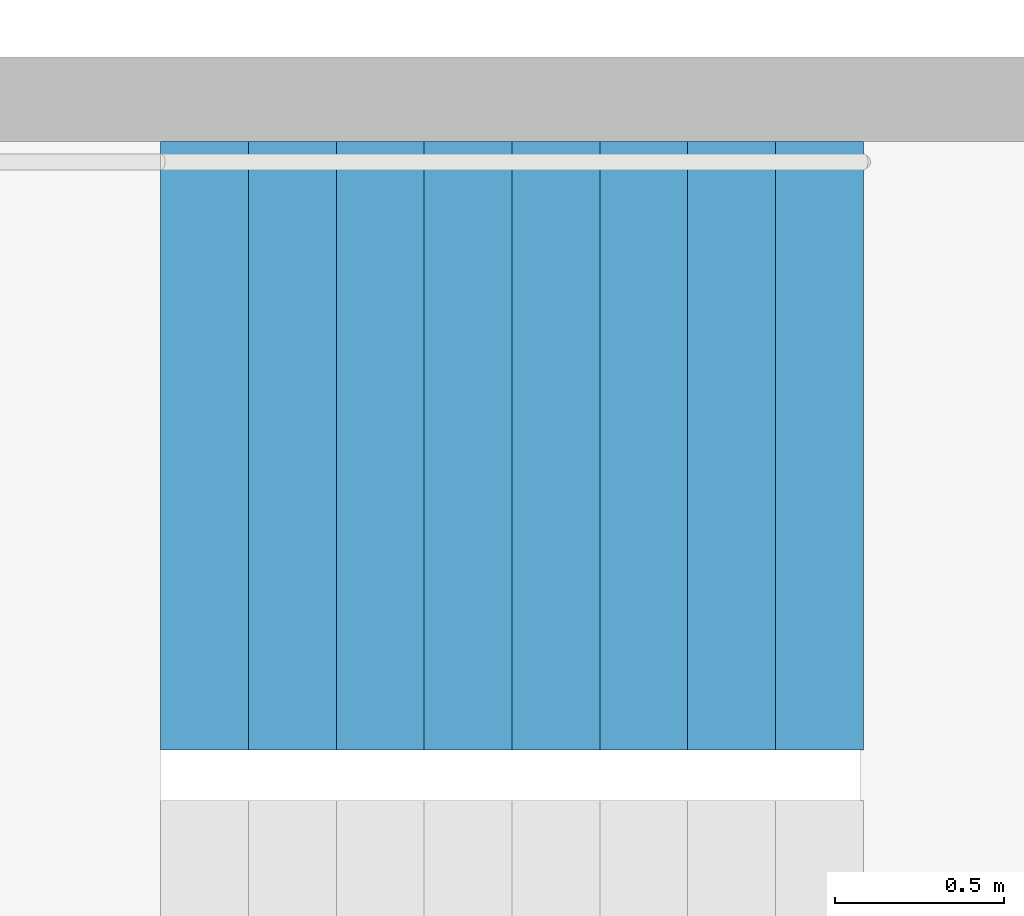
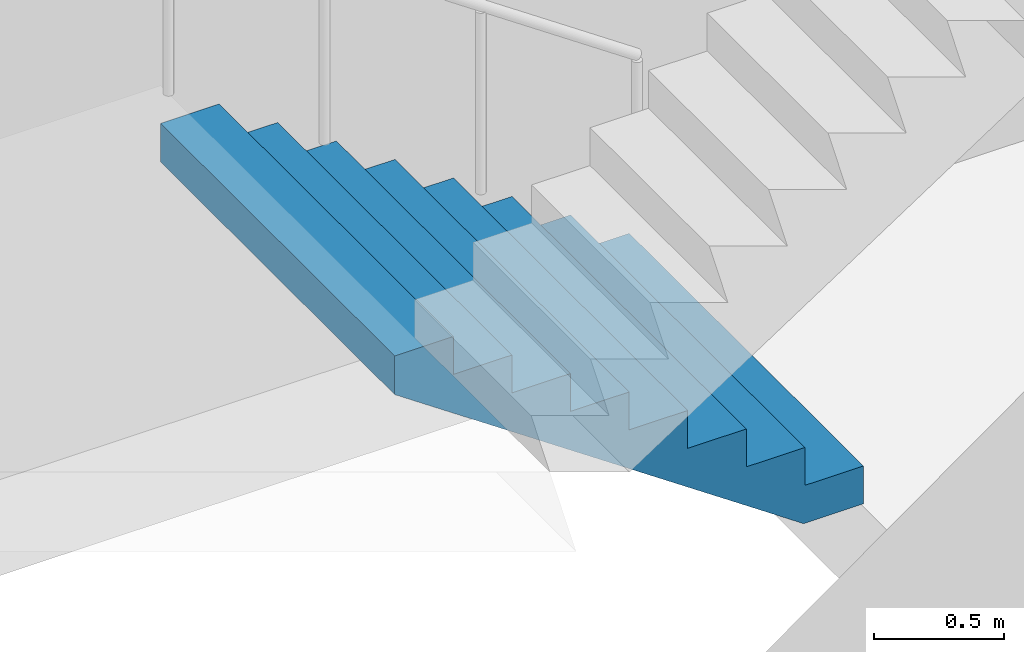
# One storey, part 20 of 27: 1 stair flight, 1 element without a shape of its own.
"""IFC4 building model written with IfcOpenShell, lengths in metres."""

from ifc_helpers import new_model, si_unit, direction, frame, origin, place, context, subcontext, project, spatial, triangles, material, type_object, element, aggregate, save


model = new_model("IFC4")

# Units and contexts
model_context = context("Model", 3, precision=1e-05, world=origin(), true_north=direction((0.0, 1.0)))
body_context = subcontext(model_context, "Body", "Model", "MODEL_VIEW")
ifc_project = project(units=[si_unit("LENGTHUNIT", "METRE"), si_unit("AREAUNIT", "SQUARE_METRE"), si_unit("VOLUMEUNIT", "CUBIC_METRE"), si_unit("PLANEANGLEUNIT", "RADIAN"), si_unit("MASSUNIT", "GRAM", prefix="KILO")], contexts=[model_context])

# Site, building, storey
site_placement = place(None, origin())
site = spatial("IfcSite", under=ifc_project, at=site_placement, CompositionType="ELEMENT")
building_placement = place(site_placement, origin())
building = spatial("IfcBuilding", under=site, at=building_placement, Name="Hakoniwa Tower and Hamabe Station Hall", CompositionType="ELEMENT")
storey_placement = place(building_placement, frame((0.0, 0.0, 255.0)))
storey = spatial("IfcBuildingStorey", under=building, at=storey_placement, Name="L72", CompositionType="ELEMENT", Elevation=255.0)

# Stair, stair flight
ifc_material_1 = material(Name="Concrete C40", Category="concrete")
stair_type = type_object("IfcStairType", Name="ESCAPE STAIR 1800", PredefinedType="HALF_TURN_STAIR", material=ifc_material_1)
stair_placement = place(storey_placement, origin())
stair = element("IfcStair", 1, at=stair_placement, inside=storey, type_object=stair_type, Name="Escape stair ST-2 L72", PredefinedType="HALF_TURN_STAIR")
ifc_material_2 = material(Name="Concrete C40", Category="concrete")
stair_flight_type = type_object("IfcStairFlightType", Name="STAIR FLIGHT 1800", PredefinedType="STRAIGHT", material=ifc_material_2)
stair_flight_placement = place(storey_placement, frame((-23.39990234375, -4.64990234375, 0.0), z_axis=(0.0, 0.0, 1.0), x_axis=(-1.0, 0.0, 0.0)))
stair_flight = element("IfcStairFlight", 2, at=stair_flight_placement, type_object=stair_flight_type, Name="ST-2 flight 1", NumberOfRisers=9, NumberOfTreads=8, PredefinedType="STRAIGHT", RiserHeight=0.177777778, TreadLength=0.26, context=body_context, shape_type="Tessellation", body=[
    triangles([(0.0, 0.89990234375, 0.0), (0.260009765625, 0.89990234375, 0.0), (0.265625, 0.89990234375, 0.0), (0.52001953125, 0.89990234375, 0.174072265625), (0.780029296875, 0.89990234375, 0.351806640625), (1.0400390625, 0.89990234375, 0.529541015625), (1.300048828125, 0.89990234375, 0.707275390625), (1.56005859375, 0.89990234375, 0.885009765625), (1.820068359375, 0.89990234375, 1.062744140625), (2.080078125, 0.89990234375, 1.24072265625), (2.080078125, 0.89990234375, 1.422119140625), (1.820068359375, 0.89990234375, 1.422119140625), (1.820068359375, 0.89990234375, 1.244384765625), (1.56005859375, 0.89990234375, 1.244384765625), (1.56005859375, 0.89990234375, 1.066650390625), (1.300048828125, 0.89990234375, 1.066650390625), (1.300048828125, 0.89990234375, 0.888916015625), (1.0400390625, 0.89990234375, 0.888916015625), (1.0400390625, 0.89990234375, 0.711181640625), (0.780029296875, 0.89990234375, 0.711181640625), (0.780029296875, 0.89990234375, 0.533447265625), (0.52001953125, 0.89990234375, 0.533447265625), (0.52001953125, 0.89990234375, 0.35546875), (0.265625, 0.89990234375, 0.35546875), (0.260009765625, 0.89990234375, 0.35546875), (0.260009765625, 0.89990234375, 0.177734375), (0.0, 0.89990234375, 0.177734375), (0.0, 0.06005859375, 0.0), (0.260009765625, 0.06005859375, 0.0), (0.265625, 0.06005859375, 0.0), (0.52001953125, 0.06005859375, 0.174072265625), (0.780029296875, 0.06005859375, 0.351806640625), (1.0400390625, 0.06005859375, 0.529541015625), (1.300048828125, 0.06005859375, 0.707275390625), (1.56005859375, 0.06005859375, 0.885009765625), (1.820068359375, 0.06005859375, 1.062744140625), (2.080078125, 0.06005859375, 1.24072265625), (2.080078125, 0.06005859375, 1.422119140625), (1.820068359375, 0.06005859375, 1.422119140625), (1.820068359375, 0.06005859375, 1.244384765625), (1.56005859375, 0.06005859375, 1.244384765625), (1.56005859375, 0.06005859375, 1.066650390625), (1.300048828125, 0.06005859375, 1.066650390625), (1.300048828125, 0.06005859375, 0.888916015625), (1.0400390625, 0.06005859375, 0.888916015625), (1.0400390625, 0.06005859375, 0.711181640625), (0.780029296875, 0.06005859375, 0.711181640625), (0.780029296875, 0.06005859375, 0.533447265625), (0.52001953125, 0.06005859375, 0.533447265625), (0.52001953125, 0.06005859375, 0.35546875), (0.265625, 0.06005859375, 0.35546875), (0.260009765625, 0.06005859375, 0.35546875), (0.260009765625, 0.06005859375, 0.177734375), (0.0, 0.06005859375, 0.177734375), (0.0, 0.04296875, 0.0), (0.260009765625, 0.04296875, 0.0), (0.265625, 0.04296875, 0.0), (0.52001953125, 0.04296875, 0.174072265625), (0.780029296875, 0.04296875, 0.351806640625), (1.0400390625, 0.04296875, 0.529541015625), (1.300048828125, 0.04296875, 0.707275390625), (1.56005859375, 0.04296875, 0.885009765625), (1.820068359375, 0.04296875, 1.062744140625), (2.080078125, 0.04296875, 1.24072265625), (2.080078125, 0.04296875, 1.422119140625), (1.820068359375, 0.04296875, 1.422119140625), (1.820068359375, 0.04296875, 1.244384765625), (1.56005859375, 0.04296875, 1.244384765625), (1.56005859375, 0.04296875, 1.066650390625), (1.300048828125, 0.04296875, 1.066650390625), (1.300048828125, 0.04296875, 0.888916015625), (1.0400390625, 0.04296875, 0.888916015625), (1.0400390625, 0.04296875, 0.711181640625), (0.780029296875, 0.04296875, 0.711181640625), (0.780029296875, 0.04296875, 0.533447265625), (0.52001953125, 0.04296875, 0.533447265625), (0.52001953125, 0.04296875, 0.35546875), (0.265625, 0.04296875, 0.35546875), (0.260009765625, 0.04296875, 0.35546875), (0.260009765625, 0.04296875, 0.177734375), (0.0, 0.04296875, 0.177734375), (0.0, 0.025634765625, 0.0), (0.260009765625, 0.025634765625, 0.0), (0.265625, 0.025634765625, 0.0), (0.52001953125, 0.025634765625, 0.174072265625), (0.780029296875, 0.025634765625, 0.351806640625), (1.0400390625, 0.025634765625, 0.529541015625), (1.300048828125, 0.025634765625, 0.707275390625), (1.56005859375, 0.025634765625, 0.885009765625), (1.820068359375, 0.025634765625, 1.062744140625), (2.080078125, 0.025634765625, 1.24072265625), (2.080078125, 0.025634765625, 1.422119140625), (1.820068359375, 0.025634765625, 1.422119140625), (1.820068359375, 0.025634765625, 1.244384765625), (1.56005859375, 0.025634765625, 1.244384765625), (1.56005859375, 0.025634765625, 1.066650390625), (1.300048828125, 0.025634765625, 1.066650390625), (1.300048828125, 0.025634765625, 0.888916015625), (1.0400390625, 0.025634765625, 0.888916015625), (1.0400390625, 0.025634765625, 0.711181640625), (0.780029296875, 0.025634765625, 0.711181640625), (0.780029296875, 0.025634765625, 0.533447265625), (0.52001953125, 0.025634765625, 0.533447265625), (0.52001953125, 0.025634765625, 0.35546875), (0.265625, 0.025634765625, 0.35546875), (0.260009765625, 0.025634765625, 0.35546875), (0.260009765625, 0.025634765625, 0.177734375), (0.0, 0.025634765625, 0.177734375), (0.0, 0.008544921875, 0.0), (0.260009765625, 0.008544921875, 0.0), (0.265625, 0.008544921875, 0.0), (0.52001953125, 0.008544921875, 0.174072265625), (0.780029296875, 0.008544921875, 0.351806640625), (1.0400390625, 0.008544921875, 0.529541015625), (1.300048828125, 0.008544921875, 0.707275390625), (1.56005859375, 0.008544921875, 0.885009765625), (1.820068359375, 0.008544921875, 1.062744140625), (2.080078125, 0.008544921875, 1.24072265625), (2.080078125, 0.008544921875, 1.422119140625), (1.820068359375, 0.008544921875, 1.422119140625), (1.820068359375, 0.008544921875, 1.244384765625), (1.56005859375, 0.008544921875, 1.244384765625), (1.56005859375, 0.008544921875, 1.066650390625), (1.300048828125, 0.008544921875, 1.066650390625), (1.300048828125, 0.008544921875, 0.888916015625), (1.0400390625, 0.008544921875, 0.888916015625), (1.0400390625, 0.008544921875, 0.711181640625), (0.780029296875, 0.008544921875, 0.711181640625), (0.780029296875, 0.008544921875, 0.533447265625), (0.52001953125, 0.008544921875, 0.533447265625), (0.52001953125, 0.008544921875, 0.35546875), (0.265625, 0.008544921875, 0.35546875), (0.260009765625, 0.008544921875, 0.35546875), (0.260009765625, 0.008544921875, 0.177734375), (0.0, 0.008544921875, 0.177734375), (0.0, -0.008544921875, 0.0), (0.260009765625, -0.008544921875, 0.0), (0.265625, -0.008544921875, 0.0), (0.52001953125, -0.008544921875, 0.174072265625), (0.780029296875, -0.008544921875, 0.351806640625), (1.0400390625, -0.008544921875, 0.529541015625), (1.300048828125, -0.008544921875, 0.707275390625), (1.56005859375, -0.008544921875, 0.885009765625), (1.820068359375, -0.008544921875, 1.062744140625), (2.080078125, -0.008544921875, 1.24072265625), (2.080078125, -0.008544921875, 1.422119140625), (1.820068359375, -0.008544921875, 1.422119140625), (1.820068359375, -0.008544921875, 1.244384765625), (1.56005859375, -0.008544921875, 1.244384765625), (1.56005859375, -0.008544921875, 1.066650390625), (1.300048828125, -0.008544921875, 1.066650390625), (1.300048828125, -0.008544921875, 0.888916015625), (1.0400390625, -0.008544921875, 0.888916015625), (1.0400390625, -0.008544921875, 0.711181640625), (0.780029296875, -0.008544921875, 0.711181640625), (0.780029296875, -0.008544921875, 0.533447265625), (0.52001953125, -0.008544921875, 0.533447265625), (0.52001953125, -0.008544921875, 0.35546875), (0.265625, -0.008544921875, 0.35546875), (0.260009765625, -0.008544921875, 0.35546875), (0.260009765625, -0.008544921875, 0.177734375), (0.0, -0.008544921875, 0.177734375), (0.0, -0.025634765625, 0.0), (0.260009765625, -0.025634765625, 0.0), (0.265625, -0.025634765625, 0.0), (0.52001953125, -0.025634765625, 0.174072265625), (0.780029296875, -0.025634765625, 0.351806640625), (1.0400390625, -0.025634765625, 0.529541015625), (1.300048828125, -0.025634765625, 0.707275390625), (1.56005859375, -0.025634765625, 0.885009765625), (1.820068359375, -0.025634765625, 1.062744140625), (2.080078125, -0.025634765625, 1.24072265625), (2.080078125, -0.025634765625, 1.422119140625), (1.820068359375, -0.025634765625, 1.422119140625), (1.820068359375, -0.025634765625, 1.244384765625), (1.56005859375, -0.025634765625, 1.244384765625), (1.56005859375, -0.025634765625, 1.066650390625), (1.300048828125, -0.025634765625, 1.066650390625), (1.300048828125, -0.025634765625, 0.888916015625), (1.0400390625, -0.025634765625, 0.888916015625), (1.0400390625, -0.025634765625, 0.711181640625), (0.780029296875, -0.025634765625, 0.711181640625), (0.780029296875, -0.025634765625, 0.533447265625), (0.52001953125, -0.025634765625, 0.533447265625), (0.52001953125, -0.025634765625, 0.35546875), (0.265625, -0.025634765625, 0.35546875), (0.260009765625, -0.025634765625, 0.35546875), (0.260009765625, -0.025634765625, 0.177734375), (0.0, -0.025634765625, 0.177734375), (0.0, -0.04296875, 0.0), (0.260009765625, -0.04296875, 0.0), (0.265625, -0.04296875, 0.0), (0.52001953125, -0.04296875, 0.174072265625), (0.780029296875, -0.04296875, 0.351806640625), (1.0400390625, -0.04296875, 0.529541015625), (1.300048828125, -0.04296875, 0.707275390625), (1.56005859375, -0.04296875, 0.885009765625), (1.820068359375, -0.04296875, 1.062744140625), (2.080078125, -0.04296875, 1.24072265625), (2.080078125, -0.04296875, 1.422119140625), (1.820068359375, -0.04296875, 1.422119140625), (1.820068359375, -0.04296875, 1.244384765625), (1.56005859375, -0.04296875, 1.244384765625), (1.56005859375, -0.04296875, 1.066650390625), (1.300048828125, -0.04296875, 1.066650390625), (1.300048828125, -0.04296875, 0.888916015625), (1.0400390625, -0.04296875, 0.888916015625), (1.0400390625, -0.04296875, 0.711181640625), (0.780029296875, -0.04296875, 0.711181640625), (0.780029296875, -0.04296875, 0.533447265625), (0.52001953125, -0.04296875, 0.533447265625), (0.52001953125, -0.04296875, 0.35546875), (0.265625, -0.04296875, 0.35546875), (0.260009765625, -0.04296875, 0.35546875), (0.260009765625, -0.04296875, 0.177734375), (0.0, -0.04296875, 0.177734375), (0.0, -0.06005859375, 0.0), (0.260009765625, -0.06005859375, 0.0), (0.265625, -0.06005859375, 0.0), (0.52001953125, -0.06005859375, 0.174072265625), (0.780029296875, -0.06005859375, 0.351806640625), (1.0400390625, -0.06005859375, 0.529541015625), (1.300048828125, -0.06005859375, 0.707275390625), (1.56005859375, -0.06005859375, 0.885009765625), (1.820068359375, -0.06005859375, 1.062744140625), (2.080078125, -0.06005859375, 1.24072265625), (2.080078125, -0.06005859375, 1.422119140625), (1.820068359375, -0.06005859375, 1.422119140625), (1.820068359375, -0.06005859375, 1.244384765625), (1.56005859375, -0.06005859375, 1.244384765625), (1.56005859375, -0.06005859375, 1.066650390625), (1.300048828125, -0.06005859375, 1.066650390625), (1.300048828125, -0.06005859375, 0.888916015625), (1.0400390625, -0.06005859375, 0.888916015625), (1.0400390625, -0.06005859375, 0.711181640625), (0.780029296875, -0.06005859375, 0.711181640625), (0.780029296875, -0.06005859375, 0.533447265625), (0.52001953125, -0.06005859375, 0.533447265625), (0.52001953125, -0.06005859375, 0.35546875), (0.265625, -0.06005859375, 0.35546875), (0.260009765625, -0.06005859375, 0.35546875), (0.260009765625, -0.06005859375, 0.177734375), (0.0, -0.06005859375, 0.177734375), (0.0, -0.89990234375, 0.0), (0.260009765625, -0.89990234375, 0.0), (0.265625, -0.89990234375, 0.0), (0.52001953125, -0.89990234375, 0.174072265625), (0.780029296875, -0.89990234375, 0.351806640625), (1.0400390625, -0.89990234375, 0.529541015625), (1.300048828125, -0.89990234375, 0.707275390625), (1.56005859375, -0.89990234375, 0.885009765625), (1.820068359375, -0.89990234375, 1.062744140625), (2.080078125, -0.89990234375, 1.24072265625), (2.080078125, -0.89990234375, 1.422119140625), (1.820068359375, -0.89990234375, 1.422119140625), (1.820068359375, -0.89990234375, 1.244384765625), (1.56005859375, -0.89990234375, 1.244384765625), (1.56005859375, -0.89990234375, 1.066650390625), (1.300048828125, -0.89990234375, 1.066650390625), (1.300048828125, -0.89990234375, 0.888916015625), (1.0400390625, -0.89990234375, 0.888916015625), (1.0400390625, -0.89990234375, 0.711181640625), (0.780029296875, -0.89990234375, 0.711181640625), (0.780029296875, -0.89990234375, 0.533447265625), (0.52001953125, -0.89990234375, 0.533447265625), (0.52001953125, -0.89990234375, 0.35546875), (0.265625, -0.89990234375, 0.35546875), (0.260009765625, -0.89990234375, 0.35546875), (0.260009765625, -0.89990234375, 0.177734375), (0.0, -0.89990234375, 0.177734375)], [[2, 27, 26], [245, 269, 270], [2, 1, 27], [245, 270, 244], [3, 25, 24], [246, 267, 268], [3, 26, 25], [246, 268, 269], [3, 2, 26], [246, 269, 245], [4, 24, 23], [247, 266, 267], [4, 3, 24], [247, 267, 246], [5, 22, 21], [248, 264, 265], [5, 23, 22], [248, 265, 266], [5, 4, 23], [248, 266, 247], [6, 20, 19], [249, 262, 263], [6, 21, 20], [249, 263, 264], [6, 5, 21], [249, 264, 248], [7, 18, 17], [250, 260, 261], [7, 19, 18], [250, 261, 262], [7, 6, 19], [250, 262, 249], [8, 16, 15], [251, 258, 259], [8, 17, 16], [251, 259, 260], [8, 7, 17], [251, 260, 250], [9, 14, 13], [252, 256, 257], [9, 15, 14], [252, 257, 258], [9, 8, 15], [252, 258, 251], [10, 12, 11], [253, 254, 255], [10, 13, 12], [253, 255, 256], [10, 9, 13], [253, 256, 252], [1, 2, 29], [1, 29, 28], [28, 29, 56], [28, 56, 55], [55, 56, 83], [55, 83, 82], [82, 83, 110], [82, 110, 109], [109, 110, 137], [109, 137, 136], [136, 137, 164], [136, 164, 163], [163, 164, 191], [163, 191, 190], [190, 191, 218], [190, 218, 217], [217, 218, 245], [217, 245, 244], [2, 3, 30], [2, 30, 29], [29, 30, 57], [29, 57, 56], [56, 57, 84], [56, 84, 83], [83, 84, 111], [83, 111, 110], [110, 111, 138], [110, 138, 137], [137, 138, 165], [137, 165, 164], [164, 165, 192], [164, 192, 191], [191, 192, 219], [191, 219, 218], [218, 219, 246], [218, 246, 245], [3, 4, 31], [3, 31, 30], [30, 31, 58], [30, 58, 57], [57, 58, 85], [57, 85, 84], [84, 85, 112], [84, 112, 111], [111, 112, 139], [111, 139, 138], [138, 139, 166], [138, 166, 165], [165, 166, 193], [165, 193, 192], [192, 193, 220], [192, 220, 219], [219, 220, 247], [219, 247, 246], [4, 5, 32], [4, 32, 31], [31, 32, 59], [31, 59, 58], [58, 59, 86], [58, 86, 85], [85, 86, 113], [85, 113, 112], [112, 113, 140], [112, 140, 139], [139, 140, 167], [139, 167, 166], [166, 167, 194], [166, 194, 193], [193, 194, 221], [193, 221, 220], [220, 221, 248], [220, 248, 247], [5, 6, 33], [5, 33, 32], [32, 33, 60], [32, 60, 59], [59, 60, 87], [59, 87, 86], [86, 87, 114], [86, 114, 113], [113, 114, 141], [113, 141, 140], [140, 141, 168], [140, 168, 167], [167, 168, 195], [167, 195, 194], [194, 195, 222], [194, 222, 221], [221, 222, 249], [221, 249, 248], [6, 7, 34], [6, 34, 33], [33, 34, 61], [33, 61, 60], [60, 61, 88], [60, 88, 87], [87, 88, 115], [87, 115, 114], [114, 115, 142], [114, 142, 141], [141, 142, 169], [141, 169, 168], [168, 169, 196], [168, 196, 195], [195, 196, 223], [195, 223, 222], [222, 223, 250], [222, 250, 249], [7, 8, 35], [7, 35, 34], [34, 35, 62], [34, 62, 61], [61, 62, 89], [61, 89, 88], [88, 89, 116], [88, 116, 115], [115, 116, 143], [115, 143, 142], [142, 143, 170], [142, 170, 169], [169, 170, 197], [169, 197, 196], [196, 197, 224], [196, 224, 223], [223, 224, 251], [223, 251, 250], [8, 9, 36], [8, 36, 35], [35, 36, 63], [35, 63, 62], [62, 63, 90], [62, 90, 89], [89, 90, 117], [89, 117, 116], [116, 117, 144], [116, 144, 143], [143, 144, 171], [143, 171, 170], [170, 171, 198], [170, 198, 197], [197, 198, 225], [197, 225, 224], [224, 225, 252], [224, 252, 251], [9, 10, 37], [9, 37, 36], [36, 37, 64], [36, 64, 63], [63, 64, 91], [63, 91, 90], [90, 91, 118], [90, 118, 117], [117, 118, 145], [117, 145, 144], [144, 145, 172], [144, 172, 171], [171, 172, 199], [171, 199, 198], [198, 199, 226], [198, 226, 225], [225, 226, 253], [225, 253, 252], [10, 11, 38], [10, 38, 37], [37, 38, 65], [37, 65, 64], [64, 65, 92], [64, 92, 91], [91, 92, 119], [91, 119, 118], [118, 119, 146], [118, 146, 145], [145, 146, 173], [145, 173, 172], [172, 173, 200], [172, 200, 199], [199, 200, 227], [199, 227, 226], [226, 227, 254], [226, 254, 253], [11, 12, 39], [11, 39, 38], [38, 39, 66], [38, 66, 65], [65, 66, 93], [65, 93, 92], [92, 93, 120], [92, 120, 119], [119, 120, 147], [119, 147, 146], [146, 147, 174], [146, 174, 173], [173, 174, 201], [173, 201, 200], [200, 201, 228], [200, 228, 227], [227, 228, 255], [227, 255, 254], [12, 13, 40], [12, 40, 39], [39, 40, 67], [39, 67, 66], [66, 67, 94], [66, 94, 93], [93, 94, 121], [93, 121, 120], [120, 121, 148], [120, 148, 147], [147, 148, 175], [147, 175, 174], [174, 175, 202], [174, 202, 201], [201, 202, 229], [201, 229, 228], [228, 229, 256], [228, 256, 255], [13, 14, 41], [13, 41, 40], [40, 41, 68], [40, 68, 67], [67, 68, 95], [67, 95, 94], [94, 95, 122], [94, 122, 121], [121, 122, 149], [121, 149, 148], [148, 149, 176], [148, 176, 175], [175, 176, 203], [175, 203, 202], [202, 203, 230], [202, 230, 229], [229, 230, 257], [229, 257, 256], [14, 15, 42], [14, 42, 41], [41, 42, 69], [41, 69, 68], [68, 69, 96], [68, 96, 95], [95, 96, 123], [95, 123, 122], [122, 123, 150], [122, 150, 149], [149, 150, 177], [149, 177, 176], [176, 177, 204], [176, 204, 203], [203, 204, 231], [203, 231, 230], [230, 231, 258], [230, 258, 257], [15, 16, 43], [15, 43, 42], [42, 43, 70], [42, 70, 69], [69, 70, 97], [69, 97, 96], [96, 97, 124], [96, 124, 123], [123, 124, 151], [123, 151, 150], [150, 151, 178], [150, 178, 177], [177, 178, 205], [177, 205, 204], [204, 205, 232], [204, 232, 231], [231, 232, 259], [231, 259, 258], [16, 17, 44], [16, 44, 43], [43, 44, 71], [43, 71, 70], [70, 71, 98], [70, 98, 97], [97, 98, 125], [97, 125, 124], [124, 125, 152], [124, 152, 151], [151, 152, 179], [151, 179, 178], [178, 179, 206], [178, 206, 205], [205, 206, 233], [205, 233, 232], [232, 233, 260], [232, 260, 259], [17, 18, 45], [17, 45, 44], [44, 45, 72], [44, 72, 71], [71, 72, 99], [71, 99, 98], [98, 99, 126], [98, 126, 125], [125, 126, 153], [125, 153, 152], [152, 153, 180], [152, 180, 179], [179, 180, 207], [179, 207, 206], [206, 207, 234], [206, 234, 233], [233, 234, 261], [233, 261, 260], [18, 19, 46], [18, 46, 45], [45, 46, 73], [45, 73, 72], [72, 73, 100], [72, 100, 99], [99, 100, 127], [99, 127, 126], [126, 127, 154], [126, 154, 153], [153, 154, 181], [153, 181, 180], [180, 181, 208], [180, 208, 207], [207, 208, 235], [207, 235, 234], [234, 235, 262], [234, 262, 261], [19, 20, 47], [19, 47, 46], [46, 47, 74], [46, 74, 73], [73, 74, 101], [73, 101, 100], [100, 101, 128], [100, 128, 127], [127, 128, 155], [127, 155, 154], [154, 155, 182], [154, 182, 181], [181, 182, 209], [181, 209, 208], [208, 209, 236], [208, 236, 235], [235, 236, 263], [235, 263, 262], [20, 21, 48], [20, 48, 47], [47, 48, 75], [47, 75, 74], [74, 75, 102], [74, 102, 101], [101, 102, 129], [101, 129, 128], [128, 129, 156], [128, 156, 155], [155, 156, 183], [155, 183, 182], [182, 183, 210], [182, 210, 209], [209, 210, 237], [209, 237, 236], [236, 237, 264], [236, 264, 263], [21, 22, 49], [21, 49, 48], [48, 49, 76], [48, 76, 75], [75, 76, 103], [75, 103, 102], [102, 103, 130], [102, 130, 129], [129, 130, 157], [129, 157, 156], [156, 157, 184], [156, 184, 183], [183, 184, 211], [183, 211, 210], [210, 211, 238], [210, 238, 237], [237, 238, 265], [237, 265, 264], [22, 23, 50], [22, 50, 49], [49, 50, 77], [49, 77, 76], [76, 77, 104], [76, 104, 103], [103, 104, 131], [103, 131, 130], [130, 131, 158], [130, 158, 157], [157, 158, 185], [157, 185, 184], [184, 185, 212], [184, 212, 211], [211, 212, 239], [211, 239, 238], [238, 239, 266], [238, 266, 265], [23, 24, 51], [23, 51, 50], [50, 51, 78], [50, 78, 77], [77, 78, 105], [77, 105, 104], [104, 105, 132], [104, 132, 131], [131, 132, 159], [131, 159, 158], [158, 159, 186], [158, 186, 185], [185, 186, 213], [185, 213, 212], [212, 213, 240], [212, 240, 239], [239, 240, 267], [239, 267, 266], [24, 25, 52], [24, 52, 51], [51, 52, 79], [51, 79, 78], [78, 79, 106], [78, 106, 105], [105, 106, 133], [105, 133, 132], [132, 133, 160], [132, 160, 159], [159, 160, 187], [159, 187, 186], [186, 187, 214], [186, 214, 213], [213, 214, 241], [213, 241, 240], [240, 241, 268], [240, 268, 267], [25, 26, 53], [25, 53, 52], [52, 53, 80], [52, 80, 79], [79, 80, 107], [79, 107, 106], [106, 107, 134], [106, 134, 133], [133, 134, 161], [133, 161, 160], [160, 161, 188], [160, 188, 187], [187, 188, 215], [187, 215, 214], [214, 215, 242], [214, 242, 241], [241, 242, 269], [241, 269, 268], [26, 27, 54], [26, 54, 53], [53, 54, 81], [53, 81, 80], [80, 81, 108], [80, 108, 107], [107, 108, 135], [107, 135, 134], [134, 135, 162], [134, 162, 161], [161, 162, 189], [161, 189, 188], [188, 189, 216], [188, 216, 215], [215, 216, 243], [215, 243, 242], [242, 243, 270], [242, 270, 269], [27, 1, 28], [27, 28, 54], [54, 28, 55], [54, 55, 81], [81, 55, 82], [81, 82, 108], [108, 82, 109], [108, 109, 135], [135, 109, 136], [135, 136, 162], [162, 136, 163], [162, 163, 189], [189, 163, 190], [189, 190, 216], [216, 190, 217], [216, 217, 243], [243, 217, 244], [243, 244, 270]], closed=True),
])
aggregate(stair, [stair_flight])

save(model, "model.ifc")
